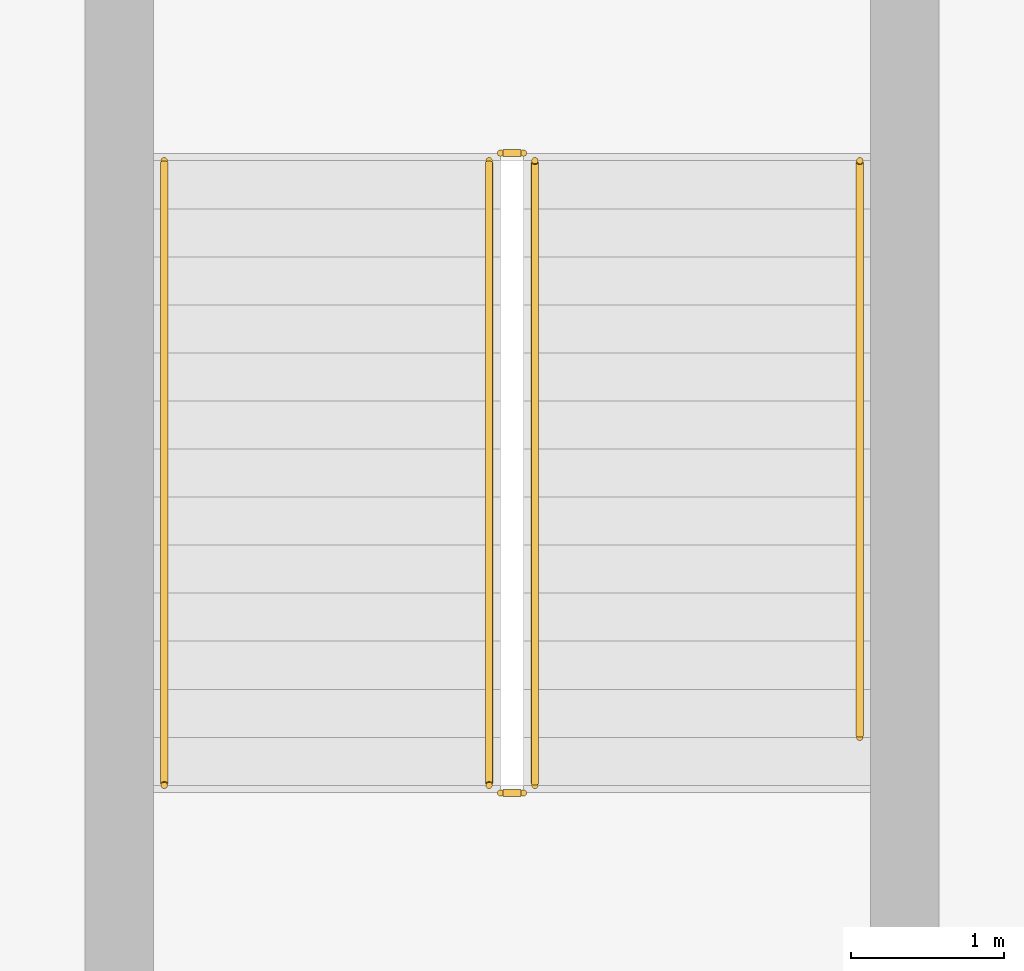
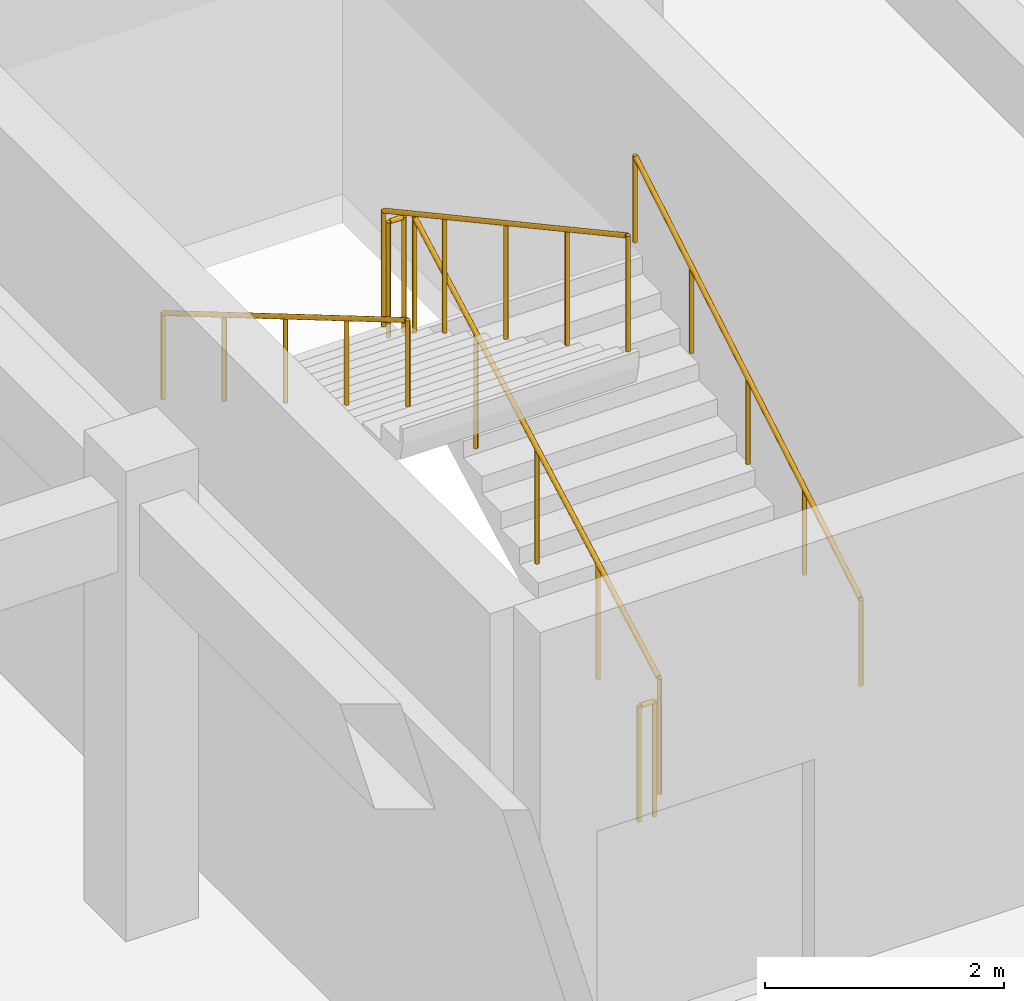
# One storey, part 124 of 133: 6 railings.
"""IFC4 building model written with IfcOpenShell, lengths in metres."""

import ifcopenshell
import ifcopenshell.guid

model = None  # the IFC model being written
_history = None  # IfcOwnerHistory: only IFC2X3 demands one
_inside = {}  # id of a spatial element -> (the spatial element, [elements in it])
_under = {}  # id of a project, library or spatial element -> (it, [spatial elements below it])
_declared = {}  # id of a project -> (the project, [libraries it declares])
_typed = {}  # id of a type object -> (the type object, [elements of that type])
_made_of = {}  # id of a material, layer set ... -> (it, [elements and type objects made of it])


def new_model(schema):
    """Start an empty IFC model of exactly this schema.

    Asked for "IFC4X3", IfcOpenShell would pick the latest addendum, in which some entities
    have other attributes; the version numbers below select the first issue.
    IFC2X3 requires an IfcOwnerHistory on every rooted entity: one is made here for all.
    """
    global model, _history
    if schema == "IFC4X3":
        model = ifcopenshell.file(schema_version=(4, 3, 0, 0))
    else:
        model = ifcopenshell.file(schema=schema)
    _inside.clear()
    _under.clear()
    _declared.clear()
    _typed.clear()
    _made_of.clear()
    _history = None
    if model.schema == "IFC2X3":
        org = make("IfcOrganization", Name="unknown")
        user = make(
            "IfcPersonAndOrganization",
            ThePerson=make("IfcPerson", FamilyName="unknown"),
            TheOrganization=org,
        )
        app = make(
            "IfcApplication",
            ApplicationDeveloper=org,
            Version="unknown",
            ApplicationFullName="unknown",
            ApplicationIdentifier="unknown",
        )
        _history = make(
            "IfcOwnerHistory",
            OwningUser=user,
            OwningApplication=app,
            ChangeAction="ADDED",
            CreationDate=0,
        )
    return model


def make(cls, **values):
    """One entity of the class cls with the attributes given. An attribute that is None is left unset."""
    return model.create_entity(
        cls, **{name: value for name, value in values.items() if value is not None}
    )


def rooted(cls, **values):
    """An entity with a GlobalId (a new one), such as an element, a storey or a relation."""
    return make(cls, GlobalId=ifcopenshell.guid.new(), OwnerHistory=_history, **values)


def si_unit(unit_type, name, prefix=None):
    """IfcSIUnit, for example si_unit("LENGTHUNIT", "METRE", prefix="MILLI")."""
    return make("IfcSIUnit", UnitType=unit_type, Prefix=prefix, Name=name)


def assignment(units):
    """IfcUnitAssignment: the units of a project."""
    return None if units is None else make("IfcUnitAssignment", Units=units)


def point(xyz):
    """IfcCartesianPoint."""
    return None if xyz is None else make("IfcCartesianPoint", Coordinates=xyz)


def direction(xyz):
    """IfcDirection."""
    return None if xyz is None else make("IfcDirection", DirectionRatios=xyz)


def frame(location, z_axis=None, x_axis=None):
    """IfcAxis2Placement3D, a coordinate frame: its origin and axes. An axis left out is left unset."""
    return make(
        "IfcAxis2Placement3D",
        Location=point(location),
        Axis=direction(z_axis),
        RefDirection=direction(x_axis),
    )


def frame_2d(location, x_axis=None):
    """IfcAxis2Placement2D, a coordinate frame in the plane: its origin and x axis."""
    return make(
        "IfcAxis2Placement2D", Location=point(location), RefDirection=direction(x_axis)
    )


def origin():
    """The frame at (0, 0, 0) with its axes left unset."""
    return frame((0.0, 0.0, 0.0))


def origin_2d():
    """The frame at (0, 0) in the plane with its x axis left unset."""
    return frame_2d((0.0, 0.0))


def place(relative_to, where):
    """IfcLocalPlacement: puts the frame where relative to a parent placement (None: the world)."""
    return make(
        "IfcLocalPlacement", PlacementRelTo=relative_to, RelativePlacement=where
    )


def context(
    kind, dimensions, precision=None, world=None, true_north=None, identifier=None
):
    """IfcGeometricRepresentationContext, for example the 3D "Model" context."""
    return make(
        "IfcGeometricRepresentationContext",
        ContextIdentifier=identifier,
        ContextType=kind,
        CoordinateSpaceDimension=dimensions,
        Precision=precision,
        WorldCoordinateSystem=world,
        TrueNorth=true_north,
    )


def subcontext(parent, identifier, kind, view, scale=None):
    """IfcGeometricRepresentationSubContext, for example "Body" below "Model"."""
    return make(
        "IfcGeometricRepresentationSubContext",
        ContextIdentifier=identifier,
        ContextType=kind,
        ParentContext=parent,
        TargetScale=scale,
        TargetView=view,
    )


def project(units=None, contexts=None):
    """IfcProject with its units and contexts."""
    return rooted(
        "IfcProject",
        Name="project",
        RepresentationContexts=contexts,
        UnitsInContext=assignment(units),
    )


def spatial(cls, under=None, at=None, **own):
    """A site, building, storey or space (cls), placed at a placement, below another one or the project."""
    s = rooted(cls, ObjectPlacement=at, **own)
    if under is not None:
        _under.setdefault(under.id(), (under, []))[1].append(s)
    return s


def profile(cls, at=None, kind="AREA", **sizes):
    """A parametric profile (cls). Its sizes go by their IFC names, for example OverallWidth=200.0."""
    return make(cls, ProfileType=kind, Position=at, **sizes)


def circle(**sizes):
    """IfcCircleProfileDef."""
    return profile("IfcCircleProfileDef", **sizes)


def extrude(swept, where, along, depth):
    """IfcExtrudedAreaSolid: the profile swept, set in the frame where, extruded along a direction by depth."""
    return make(
        "IfcExtrudedAreaSolid",
        SweptArea=swept,
        Position=where,
        ExtrudedDirection=direction(along),
        Depth=depth,
    )


def shape(context_of_items, identifier, shape_type, items):
    """IfcShapeRepresentation: the items that make up one representation, for example the "Body"."""
    return make(
        "IfcShapeRepresentation",
        ContextOfItems=context_of_items,
        RepresentationIdentifier=identifier,
        RepresentationType=shape_type,
        Items=items,
    )


def material(Name=None, Category=None):
    """IfcMaterial."""
    return make("IfcMaterial", Name=Name, Category=Category)


def made_of(thing, what):
    """Note that an element or type object is made of a material, layer set ...; save() writes the relation."""
    if what is not None:
        _made_of.setdefault(what.id(), (what, []))[1].append(thing)
    return thing


def type_object(cls, material=None, **own):
    """A type object (cls), such as IfcWallType, which elements share."""
    return made_of(rooted(cls, **own), material)


def element(
    cls,
    number,
    at=None,
    inside=None,
    cuts=None,
    type_object=None,
    material=None,
    context=None,
    identifier="Body",
    shape_type=None,
    held_by="IfcProductDefinitionShape",
    body=None,
    shapes=None,
    **own,
):
    """One element of the class cls, such as IfcWall. Its Tag is "e" and its number.

    at: its placement. inside: the storey or other place that contains it. cuts: it is an
    opening in that element (IfcRelVoidsElement). A single representation is given by context,
    identifier, shape_type and body (its items); several are given by shapes. held_by: the class
    of the entity that holds the representations. save() writes the other relations.
    """
    e = rooted(cls, Tag="e%d" % number, ObjectPlacement=at, **own)
    if body is not None:
        shapes = [shape(context, identifier, shape_type, body)]
    if shapes is not None:
        e.Representation = make(held_by, Representations=shapes)
    if inside is not None:
        _inside.setdefault(inside.id(), (inside, []))[1].append(e)
    if cuts is not None:
        rooted(
            "IfcRelVoidsElement", RelatingBuildingElement=cuts, RelatedOpeningElement=e
        )
    if type_object is not None:
        _typed.setdefault(type_object.id(), (type_object, []))[1].append(e)
    return made_of(e, material)


def aggregate(whole, parts):
    """IfcRelAggregates: a whole, such as a stair, and the parts it consists of."""
    return rooted("IfcRelAggregates", RelatingObject=whole, RelatedObjects=parts)


def save(model, path):
    """Write the relations noted so far, then the file.

    IfcRelAggregates (storeys below a building ...), IfcRelContainedInSpatialStructure (elements
    in a storey), IfcRelDefinesByType, IfcRelAssociatesMaterial and IfcRelDeclares: one each for
    every whole, place, type object, material and project.
    """
    for whole, parts in _under.values():
        aggregate(whole, parts)
    for where, things in _inside.values():
        rooted(
            "IfcRelContainedInSpatialStructure",
            RelatedElements=things,
            RelatingStructure=where,
        )
    for kind, things in _typed.values():
        rooted("IfcRelDefinesByType", RelatedObjects=things, RelatingType=kind)
    for what, things in _made_of.values():
        rooted("IfcRelAssociatesMaterial", RelatedObjects=things, RelatingMaterial=what)
    for by, libraries in _declared.values():
        rooted("IfcRelDeclares", RelatingContext=by, RelatedDefinitions=libraries)
    model.write(path)


model = new_model("IFC4")

# Units and contexts
model_context = context("Model", 3, precision=1e-05, world=origin(), true_north=direction((0.0, 1.0)))
body_context = subcontext(model_context, "Body", "Model", "MODEL_VIEW")
ifc_project = project(units=[si_unit("LENGTHUNIT", "METRE"), si_unit("AREAUNIT", "SQUARE_METRE"), si_unit("VOLUMEUNIT", "CUBIC_METRE"), si_unit("PLANEANGLEUNIT", "RADIAN"), si_unit("MASSUNIT", "GRAM", prefix="KILO")], contexts=[model_context])

# Site, building, storey
site_placement = place(None, origin())
site = spatial("IfcSite", under=ifc_project, at=site_placement, CompositionType="ELEMENT")
building_placement = place(site_placement, origin())
building = spatial("IfcBuilding", under=site, at=building_placement, Name="Nakhvara Creek Congress Hotel", CompositionType="ELEMENT")
storey_placement = place(building_placement, frame((0.0, 0.0, 11.39990234375)))
storey = spatial("IfcBuildingStorey", under=building, at=storey_placement, Name="L02", CompositionType="ELEMENT", Elevation=11.39990234375)

# Railings
ifc_material = material(Name="Brushed stainless steel 316L", Category="steel")
railing_type_1 = type_object("IfcRailingType", Name="RL-GUARD-1200", PredefinedType="GUARDRAIL", material=ifc_material)
railing_1_placement = place(storey_placement, frame((119.675048828125, 85.47998046875, 0.171630859375)))
element("IfcRailing", 1, at=railing_1_placement, inside=storey, type_object=railing_type_1, Name="L02 ST09 stair guard 1", PredefinedType="GUARDRAIL", context=body_context, shape_type="SweptSolid", body=[
    extrude(circle(Radius=0.02392578125, at=origin_2d()), frame((0.0, 0.012939453125, 1.182861328125), z_axis=(0.0, 0.878355465225, 0.478008029963), x_axis=(-1.0, 0.0, 0.0)), (0.0, 0.0, 1.0), 4.6328125),
    extrude(circle(Radius=0.02099609375, at=origin_2d()), origin(), (0.0, 0.0, 1.0), 1.1806640625),
    extrude(circle(Radius=0.02099609375, at=origin_2d()), frame((0.0, 1.023681640625, 0.55712890625)), (0.0, 0.0, 1.0), 1.1806640625),
    extrude(circle(Radius=0.02099609375, at=origin_2d()), frame((0.0, 2.04736328125, 1.1142578125)), (0.0, 0.0, 1.0), 1.1806640625),
    extrude(circle(Radius=0.02099609375, at=origin_2d()), frame((0.0, 3.0712890625, 1.67138671875)), (0.0, 0.0, 1.0), 1.1806640625),
    extrude(circle(Radius=0.02099609375, at=origin_2d()), frame((0.0, 4.094970703125, 2.228515625)), (0.0, 0.0, 1.0), 1.1806640625),
])
railing_2_placement = place(storey_placement, frame((119.60009765625, 89.625, 2.400146484375)))
element("IfcRailing", 2, at=railing_2_placement, inside=storey, type_object=railing_type_1, Name="L02 ST09 stair guard 2", PredefinedType="GUARDRAIL", context=body_context, shape_type="SweptSolid", body=[
    extrude(circle(Radius=0.02392578125, at=origin_2d()), frame((-0.0146484375, 0.0, 1.17578125), z_axis=(-1.0, 0.0, 0.0), x_axis=(0.0, -1.0, 0.0)), (0.0, 0.0, 1.0), 0.120849609375),
    extrude(circle(Radius=0.02099609375, at=origin_2d()), origin(), (0.0, 0.0, 1.0), 1.1806640625),
    extrude(circle(Radius=0.02099609375, at=origin_2d()), frame((-0.150146484375, 0.0, 0.0)), (0.0, 0.0, 1.0), 1.1806640625),
])
railing_3_placement = place(storey_placement, frame((119.375, 89.574951171875, 2.571533203125)))
element("IfcRailing", 3, at=railing_3_placement, inside=storey, type_object=railing_type_1, Name="L02 ST09 stair guard 3", PredefinedType="GUARDRAIL", context=body_context, shape_type="SweptSolid", body=[
    extrude(circle(Radius=0.02392578125, at=origin_2d()), frame((0.0, -0.012939453125, 1.182861328125), z_axis=(0.0, -0.878355465225, 0.478008029963), x_axis=(1.0, 0.0, 0.0)), (0.0, 0.0, 1.0), 4.6328125),
    extrude(circle(Radius=0.02099609375, at=origin_2d()), origin(), (0.0, 0.0, 1.0), 1.1806640625),
    extrude(circle(Radius=0.02099609375, at=origin_2d()), frame((0.0, -1.023681640625, 0.55712890625)), (0.0, 0.0, 1.0), 1.1806640625),
    extrude(circle(Radius=0.02099609375, at=origin_2d()), frame((0.0, -2.04736328125, 1.1142578125)), (0.0, 0.0, 1.0), 1.1806640625),
    extrude(circle(Radius=0.02099609375, at=origin_2d()), frame((0.0, -3.0712890625, 1.67138671875)), (0.0, 0.0, 1.0), 1.1806640625),
    extrude(circle(Radius=0.02099609375, at=origin_2d()), frame((0.0, -4.094970703125, 2.228515625)), (0.0, 0.0, 1.0), 1.1806640625),
])
railing_4_placement = place(storey_placement, frame((119.60009765625, 85.429931640625, 0.0)))
element("IfcRailing", 4, at=railing_4_placement, inside=storey, type_object=railing_type_1, Name="L02 ST09 stair guard 4", PredefinedType="GUARDRAIL", context=body_context, shape_type="SweptSolid", body=[
    extrude(circle(Radius=0.02392578125, at=origin_2d()), frame((-0.0146484375, 0.0, 1.17578125), z_axis=(-1.0, 0.0, 0.0), x_axis=(0.0, -1.0, 0.0)), (0.0, 0.0, 1.0), 0.120849609375),
    extrude(circle(Radius=0.02099609375, at=origin_2d()), origin(), (0.0, 0.0, 1.0), 1.1806640625),
    extrude(circle(Radius=0.02099609375, at=origin_2d()), frame((-0.150146484375, 0.0, 0.0)), (0.0, 0.0, 1.0), 1.1806640625),
])
railing_type_2 = type_object("IfcRailingType", Name="RL-HAND-900", PredefinedType="HANDRAIL", material=ifc_material)
railing_5_placement = place(storey_placement, frame((121.804931640625, 85.794921875, 0.343017578125)))
element("IfcRailing", 5, at=railing_5_placement, inside=storey, type_object=railing_type_2, Name="L02 ST09 stair handrail 1", PredefinedType="HANDRAIL", context=body_context, shape_type="SweptSolid", body=[
    extrude(circle(Radius=0.02392578125, at=origin_2d()), frame((0.0, 0.0126953125, 0.88330078125), z_axis=(0.0, 0.860342978037, 0.509715567883), x_axis=(-1.0, 0.0, 0.0)), (0.0, 0.0, 1.0), 4.3642578125),
    extrude(circle(Radius=0.02099609375, at=origin_2d()), origin(), (0.0, 0.0, 1.0), 0.880615234375),
    extrude(circle(Radius=0.02099609375, at=origin_2d()), frame((0.0, 0.945068359375, 0.559814453125)), (0.0, 0.0, 1.0), 0.880615234375),
    extrude(circle(Radius=0.02099609375, at=origin_2d()), frame((0.0, 1.89013671875, 1.11962890625)), (0.0, 0.0, 1.0), 0.880615234375),
    extrude(circle(Radius=0.02099609375, at=origin_2d()), frame((0.0, 2.8349609375, 1.6796875)), (0.0, 0.0, 1.0), 0.880615234375),
    extrude(circle(Radius=0.02099609375, at=origin_2d()), frame((0.0, 3.780029296875, 2.239501953125)), (0.0, 0.0, 1.0), 0.880615234375),
])
railing_6_placement = place(storey_placement, frame((117.2451171875, 89.574951171875, 2.571533203125)))
element("IfcRailing", 6, at=railing_6_placement, inside=storey, type_object=railing_type_2, Name="L02 ST09 stair handrail 2", PredefinedType="HANDRAIL", context=body_context, shape_type="SweptSolid", body=[
    extrude(circle(Radius=0.02392578125, at=origin_2d()), frame((0.0, -0.0126953125, 0.88330078125), z_axis=(0.0, -0.861742646415, 0.507345652736), x_axis=(1.0, 0.0, 0.0)), (0.0, 0.0, 1.0), 4.72265625),
    extrude(circle(Radius=0.02099609375, at=origin_2d()), origin(), (0.0, 0.0, 1.0), 0.880615234375),
    extrude(circle(Radius=0.02099609375, at=origin_2d()), frame((0.0, -1.023681640625, 0.602783203125)), (0.0, 0.0, 1.0), 0.880615234375),
    extrude(circle(Radius=0.02099609375, at=origin_2d()), frame((0.0, -2.04736328125, 1.20556640625)), (0.0, 0.0, 1.0), 0.880615234375),
    extrude(circle(Radius=0.02099609375, at=origin_2d()), frame((0.0, -3.0712890625, 1.80810546875)), (0.0, 0.0, 1.0), 0.880615234375),
    extrude(circle(Radius=0.02099609375, at=origin_2d()), frame((0.0, -4.094970703125, 2.410888671875)), (0.0, 0.0, 1.0), 0.880615234375),
])

save(model, "model.ifc")
